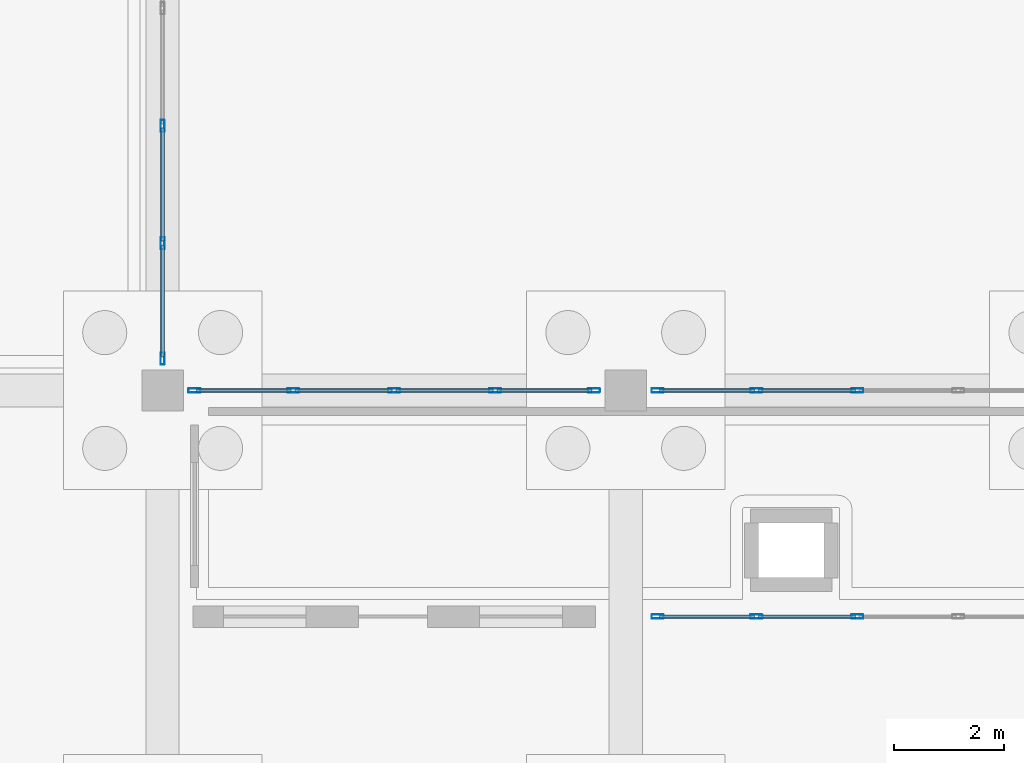
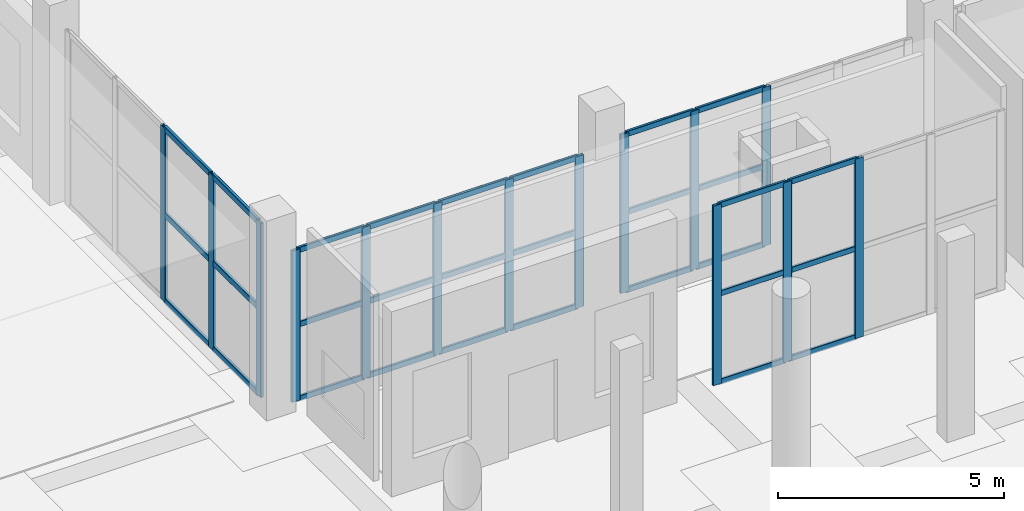
# One storey, part 15 of 65: 44 members, 4 elements without a shape of their own.
"""IFC4 building model written with IfcOpenShell, lengths in metres."""

from ifc_helpers import new_model, si_unit, direction, frame, origin, origin_2d, place, context, subcontext, project, spatial, hollow_rectangle, extrude, material, layer, layer_set, material_profile, profile_set, type_object, element, aggregate, save


model = new_model("IFC4")

# Units and contexts
model_context = context("Model", 3, precision=1e-05, world=origin(), true_north=direction((0.0, 1.0)))
body_context = subcontext(model_context, "Body", "Model", "MODEL_VIEW")
ifc_project = project(units=[si_unit("LENGTHUNIT", "METRE"), si_unit("AREAUNIT", "SQUARE_METRE"), si_unit("VOLUMEUNIT", "CUBIC_METRE"), si_unit("PLANEANGLEUNIT", "RADIAN"), si_unit("MASSUNIT", "GRAM", prefix="KILO")], contexts=[model_context])

# Site, building, storey
site_placement = place(None, origin())
site = spatial("IfcSite", under=ifc_project, at=site_placement, CompositionType="ELEMENT")
building_placement = place(site_placement, origin())
building = spatial("IfcBuilding", under=site, at=building_placement, Name="Zulmaris Art Gallery", CompositionType="ELEMENT")
storey_placement = place(building_placement, origin())
storey = spatial("IfcBuildingStorey", under=building, at=storey_placement, Name="L00", CompositionType="ELEMENT", Elevation=0.0)

# Curtain wall, members
ifc_material_1 = material(Name="Cloister & Court Glazed Curtain Wall", Category="aluminium")
ifc_layer = layer(ifc_material_1, 0.179931640625)
ifc_layer_set = layer_set([ifc_layer], Name="Cloister & Court Glazed Curtain Wall")
curtain_wall_type = type_object("IfcCurtainWallType", Name="CW-CW03", PredefinedType="NOTDEFINED", material=ifc_layer_set)
curtain_wall_1_placement = place(storey_placement, origin())
curtain_wall_1 = element("IfcCurtainWall", 1, at=curtain_wall_1_placement, inside=storey, type_object=curtain_wall_type, Name="L00 curtain wall 55", PredefinedType="NOTDEFINED")
ifc_material_2 = material(Name="Anodised Bronze Aluminium", Category="aluminium")
ifc_material_profile_1 = material_profile(ifc_material_2, hollow_rectangle(XDim=0.074951171875, YDim=0.219970703125, WallThickness=0.0048828125, InnerFilletRadius=0.007568359375, OuterFilletRadius=0.012451171875, at=origin_2d()), Name="ALU 75x220x5")
ifc_profile_set_1 = profile_set([ifc_material_profile_1], Name="Anodised Bronze Aluminium")
member_type_1 = type_object("IfcMemberType", Name="CWMUL-02", PredefinedType="MULLION", material=ifc_profile_set_1)
member_1_placement = place(storey_placement, frame((100.177490234375, 17.5, 0.0), z_axis=(0.0, 0.0, 1.0), x_axis=(0.0, 1.0, 0.0)))
member_1 = element("IfcMember", 2, at=member_1_placement, type_object=member_type_1, Name="CW03 mullion 1", PredefinedType="MULLION", context=body_context, shape_type="SweptSolid", body=[
    extrude(hollow_rectangle(XDim=0.074951171875, YDim=0.219970703125, WallThickness=0.0048828125, InnerFilletRadius=0.007568359375, OuterFilletRadius=0.012451171875, at=origin_2d()), origin(), (0.0, 0.0, 1.0), 4.85009765625),
])
member_2_placement = place(storey_placement, frame((101.969970703125, 17.5, 0.0), z_axis=(0.0, 0.0, 1.0), x_axis=(0.0, 1.0, 0.0)))
member_2 = element("IfcMember", 3, at=member_2_placement, type_object=member_type_1, Name="CW03 mullion 2", PredefinedType="MULLION", context=body_context, shape_type="SweptSolid", body=[
    extrude(hollow_rectangle(XDim=0.074951171875, YDim=0.219970703125, WallThickness=0.0048828125, InnerFilletRadius=0.007568359375, OuterFilletRadius=0.012451171875, at=origin_2d()), origin(), (0.0, 0.0, 1.0), 4.85009765625),
])
member_3_placement = place(storey_placement, frame((103.800048828125, 17.5, 0.0), z_axis=(0.0, 0.0, 1.0), x_axis=(0.0, 1.0, 0.0)))
member_3 = element("IfcMember", 4, at=member_3_placement, type_object=member_type_1, Name="CW03 mullion 3", PredefinedType="MULLION", context=body_context, shape_type="SweptSolid", body=[
    extrude(hollow_rectangle(XDim=0.074951171875, YDim=0.219970703125, WallThickness=0.0048828125, InnerFilletRadius=0.007568359375, OuterFilletRadius=0.012451171875, at=origin_2d()), origin(), (0.0, 0.0, 1.0), 4.85009765625),
])

curtain_wall_2_placement = place(storey_placement, origin())
curtain_wall_2 = element("IfcCurtainWall", 5, at=curtain_wall_2_placement, inside=storey, type_object=curtain_wall_type, Name="L00 curtain wall 66", PredefinedType="NOTDEFINED")
member_4_placement = place(storey_placement, frame((91.199951171875, 26.39990234375, 0.0), z_axis=(0.0, 0.0, 1.0), x_axis=(1.0, 0.0, 0.0)))
member_4 = element("IfcMember", 6, at=member_4_placement, type_object=member_type_1, Name="CW03 mullion 3", PredefinedType="MULLION", context=body_context, shape_type="SweptSolid", body=[
    extrude(hollow_rectangle(XDim=0.074951171875, YDim=0.219970703125, WallThickness=0.0048828125, InnerFilletRadius=0.007568359375, OuterFilletRadius=0.012451171875, at=origin_2d()), origin(), (0.0, 0.0, 1.0), 4.7099609375),
])
member_5_placement = place(storey_placement, frame((91.199951171875, 24.27001953125, 0.0), z_axis=(0.0, 0.0, 1.0), x_axis=(1.0, 0.0, 0.0)))
member_5 = element("IfcMember", 7, at=member_5_placement, type_object=member_type_1, Name="CW03 mullion 4", PredefinedType="MULLION", context=body_context, shape_type="SweptSolid", body=[
    extrude(hollow_rectangle(XDim=0.074951171875, YDim=0.219970703125, WallThickness=0.0048828125, InnerFilletRadius=0.007568359375, OuterFilletRadius=0.012451171875, at=origin_2d()), origin(), (0.0, 0.0, 1.0), 4.7099609375),
])
member_6_placement = place(storey_placement, frame((91.199951171875, 22.177490234375, 0.0), z_axis=(0.0, 0.0, 1.0), x_axis=(1.0, 0.0, 0.0)))
member_6 = element("IfcMember", 8, at=member_6_placement, type_object=member_type_1, Name="CW03 mullion 5", PredefinedType="MULLION", context=body_context, shape_type="SweptSolid", body=[
    extrude(hollow_rectangle(XDim=0.074951171875, YDim=0.219970703125, WallThickness=0.0048828125, InnerFilletRadius=0.007568359375, OuterFilletRadius=0.012451171875, at=origin_2d()), origin(), (0.0, 0.0, 1.0), 4.7099609375),
])

curtain_wall_3_placement = place(storey_placement, origin())
curtain_wall_3 = element("IfcCurtainWall", 9, at=curtain_wall_3_placement, inside=storey, type_object=curtain_wall_type, Name="L00 curtain wall 185", PredefinedType="NOTDEFINED")
member_7_placement = place(storey_placement, frame((91.777587890625, 21.60009765625, 0.0), z_axis=(0.0, 0.0, 1.0), x_axis=(0.0, 1.0, 0.0)))
member_7 = element("IfcMember", 10, at=member_7_placement, type_object=member_type_1, Name="CW03 mullion 1", PredefinedType="MULLION", context=body_context, shape_type="SweptSolid", body=[
    extrude(hollow_rectangle(XDim=0.074951171875, YDim=0.219970703125, WallThickness=0.0048828125, InnerFilletRadius=0.007568359375, OuterFilletRadius=0.012451171875, at=origin_2d()), origin(), (0.0, 0.0, 1.0), 4.090087890625),
])
member_8_placement = place(storey_placement, frame((93.570068359375, 21.60009765625, 0.0), z_axis=(0.0, 0.0, 1.0), x_axis=(0.0, 1.0, 0.0)))
member_8 = element("IfcMember", 11, at=member_8_placement, type_object=member_type_1, Name="CW03 mullion 2", PredefinedType="MULLION", context=body_context, shape_type="SweptSolid", body=[
    extrude(hollow_rectangle(XDim=0.074951171875, YDim=0.219970703125, WallThickness=0.0048828125, InnerFilletRadius=0.007568359375, OuterFilletRadius=0.012451171875, at=origin_2d()), origin(), (0.0, 0.0, 1.0), 4.090087890625),
])
member_9_placement = place(storey_placement, frame((95.39990234375, 21.60009765625, 0.0), z_axis=(0.0, 0.0, 1.0), x_axis=(0.0, 1.0, 0.0)))
member_9 = element("IfcMember", 12, at=member_9_placement, type_object=member_type_1, Name="CW03 mullion 3", PredefinedType="MULLION", context=body_context, shape_type="SweptSolid", body=[
    extrude(hollow_rectangle(XDim=0.074951171875, YDim=0.219970703125, WallThickness=0.0048828125, InnerFilletRadius=0.007568359375, OuterFilletRadius=0.012451171875, at=origin_2d()), origin(), (0.0, 0.0, 1.0), 4.090087890625),
])
member_10_placement = place(storey_placement, frame((97.22998046875, 21.60009765625, 0.0), z_axis=(0.0, 0.0, 1.0), x_axis=(0.0, 1.0, 0.0)))
member_10 = element("IfcMember", 13, at=member_10_placement, type_object=member_type_1, Name="CW03 mullion 4", PredefinedType="MULLION", context=body_context, shape_type="SweptSolid", body=[
    extrude(hollow_rectangle(XDim=0.074951171875, YDim=0.219970703125, WallThickness=0.0048828125, InnerFilletRadius=0.007568359375, OuterFilletRadius=0.012451171875, at=origin_2d()), origin(), (0.0, 0.0, 1.0), 4.090087890625),
])
member_11_placement = place(storey_placement, frame((99.0224609375, 21.60009765625, 0.0), z_axis=(0.0, 0.0, 1.0), x_axis=(0.0, 1.0, 0.0)))
member_11 = element("IfcMember", 14, at=member_11_placement, type_object=member_type_1, Name="CW03 mullion 5", PredefinedType="MULLION", context=body_context, shape_type="SweptSolid", body=[
    extrude(hollow_rectangle(XDim=0.074951171875, YDim=0.219970703125, WallThickness=0.0048828125, InnerFilletRadius=0.007568359375, OuterFilletRadius=0.012451171875, at=origin_2d()), origin(), (0.0, 0.0, 1.0), 4.090087890625),
])

curtain_wall_4_placement = place(storey_placement, origin())
curtain_wall_4 = element("IfcCurtainWall", 15, at=curtain_wall_4_placement, inside=storey, type_object=curtain_wall_type, Name="L00 curtain wall 186", PredefinedType="NOTDEFINED")
member_12_placement = place(storey_placement, frame((100.177490234375, 21.60009765625, 0.0), z_axis=(0.0, 0.0, 1.0), x_axis=(0.0, 1.0, 0.0)))
member_12 = element("IfcMember", 16, at=member_12_placement, type_object=member_type_1, Name="CW03 mullion 1", PredefinedType="MULLION", context=body_context, shape_type="SweptSolid", body=[
    extrude(hollow_rectangle(XDim=0.074951171875, YDim=0.219970703125, WallThickness=0.0048828125, InnerFilletRadius=0.007568359375, OuterFilletRadius=0.012451171875, at=origin_2d()), origin(), (0.0, 0.0, 1.0), 4.2900390625),
])
member_13_placement = place(storey_placement, frame((101.969970703125, 21.60009765625, 0.0), z_axis=(0.0, 0.0, 1.0), x_axis=(0.0, 1.0, 0.0)))
member_13 = element("IfcMember", 17, at=member_13_placement, type_object=member_type_1, Name="CW03 mullion 2", PredefinedType="MULLION", context=body_context, shape_type="SweptSolid", body=[
    extrude(hollow_rectangle(XDim=0.074951171875, YDim=0.219970703125, WallThickness=0.0048828125, InnerFilletRadius=0.007568359375, OuterFilletRadius=0.012451171875, at=origin_2d()), origin(), (0.0, 0.0, 1.0), 4.2900390625),
])
member_14_placement = place(storey_placement, frame((103.800048828125, 21.60009765625, 0.0), z_axis=(0.0, 0.0, 1.0), x_axis=(0.0, 1.0, 0.0)))
member_14 = element("IfcMember", 18, at=member_14_placement, type_object=member_type_1, Name="CW03 mullion 3", PredefinedType="MULLION", context=body_context, shape_type="SweptSolid", body=[
    extrude(hollow_rectangle(XDim=0.074951171875, YDim=0.219970703125, WallThickness=0.0048828125, InnerFilletRadius=0.007568359375, OuterFilletRadius=0.012451171875, at=origin_2d()), origin(), (0.0, 0.0, 1.0), 4.2900390625),
])

# Member
ifc_material_profile_2 = material_profile(ifc_material_2, hollow_rectangle(XDim=0.06494140625, YDim=0.14990234375, WallThickness=0.00390625, InnerFilletRadius=0.006103515625, OuterFilletRadius=0.010009765625, at=origin_2d()), Name="ALU 65x150x4")
ifc_profile_set_2 = profile_set([ifc_material_profile_2], Name="Anodised Bronze Aluminium")
member_type_2 = type_object("IfcMemberType", Name="CWTRN-01", PredefinedType="USERDEFINED", material=ifc_profile_set_2)
member_15_placement = place(storey_placement, frame((100.215087890625, 17.5, 0.03759765625), z_axis=(1.0, 0.0, 0.0), x_axis=(0.0, 1.0, 0.0)))
member_15 = element("IfcMember", 19, at=member_15_placement, type_object=member_type_2, Name="CW03 transom 1.1", ObjectType="TRANSOM", PredefinedType="USERDEFINED", context=body_context, shape_type="SweptSolid", body=[
    extrude(hollow_rectangle(XDim=0.06494140625, YDim=0.14990234375, WallThickness=0.00390625, InnerFilletRadius=0.006103515625, OuterFilletRadius=0.010009765625, at=origin_2d()), origin(), (0.0, 0.0, 1.0), 1.717529296875),
])

member_16_placement = place(storey_placement, frame((100.215087890625, 17.5, 2.425048828125), z_axis=(1.0, 0.0, 0.0), x_axis=(0.0, 1.0, 0.0)))
member_16 = element("IfcMember", 20, at=member_16_placement, type_object=member_type_2, Name="CW03 transom 1.2", ObjectType="TRANSOM", PredefinedType="USERDEFINED", context=body_context, shape_type="SweptSolid", body=[
    extrude(hollow_rectangle(XDim=0.06494140625, YDim=0.14990234375, WallThickness=0.00390625, InnerFilletRadius=0.006103515625, OuterFilletRadius=0.010009765625, at=origin_2d()), origin(), (0.0, 0.0, 1.0), 1.717529296875),
])

member_17_placement = place(storey_placement, frame((100.215087890625, 17.5, 4.8125), z_axis=(1.0, 0.0, 0.0), x_axis=(0.0, 1.0, 0.0)))
member_17 = element("IfcMember", 21, at=member_17_placement, type_object=member_type_2, Name="CW03 transom 1.3", ObjectType="TRANSOM", PredefinedType="USERDEFINED", context=body_context, shape_type="SweptSolid", body=[
    extrude(hollow_rectangle(XDim=0.06494140625, YDim=0.14990234375, WallThickness=0.00390625, InnerFilletRadius=0.006103515625, OuterFilletRadius=0.010009765625, at=origin_2d()), origin(), (0.0, 0.0, 1.0), 1.717529296875),
])

member_18_placement = place(storey_placement, frame((102.007568359375, 17.5, 0.03759765625), z_axis=(1.0, 0.0, 0.0), x_axis=(0.0, 1.0, 0.0)))
member_18 = element("IfcMember", 22, at=member_18_placement, type_object=member_type_2, Name="CW03 transom 2.1", ObjectType="TRANSOM", PredefinedType="USERDEFINED", context=body_context, shape_type="SweptSolid", body=[
    extrude(hollow_rectangle(XDim=0.06494140625, YDim=0.14990234375, WallThickness=0.00390625, InnerFilletRadius=0.006103515625, OuterFilletRadius=0.010009765625, at=origin_2d()), origin(), (0.0, 0.0, 1.0), 1.7548828125),
])

member_19_placement = place(storey_placement, frame((102.007568359375, 17.5, 2.425048828125), z_axis=(1.0, 0.0, 0.0), x_axis=(0.0, 1.0, 0.0)))
member_19 = element("IfcMember", 23, at=member_19_placement, type_object=member_type_2, Name="CW03 transom 2.2", ObjectType="TRANSOM", PredefinedType="USERDEFINED", context=body_context, shape_type="SweptSolid", body=[
    extrude(hollow_rectangle(XDim=0.06494140625, YDim=0.14990234375, WallThickness=0.00390625, InnerFilletRadius=0.006103515625, OuterFilletRadius=0.010009765625, at=origin_2d()), origin(), (0.0, 0.0, 1.0), 1.7548828125),
])

member_20_placement = place(storey_placement, frame((102.007568359375, 17.5, 4.8125), z_axis=(1.0, 0.0, 0.0), x_axis=(0.0, 1.0, 0.0)))
member_20 = element("IfcMember", 24, at=member_20_placement, type_object=member_type_2, Name="CW03 transom 2.3", ObjectType="TRANSOM", PredefinedType="USERDEFINED", context=body_context, shape_type="SweptSolid", body=[
    extrude(hollow_rectangle(XDim=0.06494140625, YDim=0.14990234375, WallThickness=0.00390625, InnerFilletRadius=0.006103515625, OuterFilletRadius=0.010009765625, at=origin_2d()), origin(), (0.0, 0.0, 1.0), 1.7548828125),
])

aggregate(curtain_wall_1, [member_1, member_2, member_3, member_15, member_16, member_17, member_18, member_19, member_20])

member_21_placement = place(storey_placement, frame((91.81494140625, 21.60009765625, 0.03759765625), z_axis=(1.0, 0.0, 0.0), x_axis=(0.0, 1.0, 0.0)))
member_21 = element("IfcMember", 25, at=member_21_placement, type_object=member_type_2, Name="CW03 transom 1.1", ObjectType="TRANSOM", PredefinedType="USERDEFINED", context=body_context, shape_type="SweptSolid", body=[
    extrude(hollow_rectangle(XDim=0.06494140625, YDim=0.14990234375, WallThickness=0.00390625, InnerFilletRadius=0.006103515625, OuterFilletRadius=0.010009765625, at=origin_2d()), origin(), (0.0, 0.0, 1.0), 1.717529296875),
])

member_22_placement = place(storey_placement, frame((91.81494140625, 21.60009765625, 2.044921875), z_axis=(1.0, 0.0, 0.0), x_axis=(0.0, 1.0, 0.0)))
member_22 = element("IfcMember", 26, at=member_22_placement, type_object=member_type_2, Name="CW03 transom 1.2", ObjectType="TRANSOM", PredefinedType="USERDEFINED", context=body_context, shape_type="SweptSolid", body=[
    extrude(hollow_rectangle(XDim=0.06494140625, YDim=0.14990234375, WallThickness=0.00390625, InnerFilletRadius=0.006103515625, OuterFilletRadius=0.010009765625, at=origin_2d()), origin(), (0.0, 0.0, 1.0), 1.717529296875),
])

member_23_placement = place(storey_placement, frame((91.81494140625, 21.60009765625, 4.052490234375), z_axis=(1.0, 0.0, 0.0), x_axis=(0.0, 1.0, 0.0)))
member_23 = element("IfcMember", 27, at=member_23_placement, type_object=member_type_2, Name="CW03 transom 1.3", ObjectType="TRANSOM", PredefinedType="USERDEFINED", context=body_context, shape_type="SweptSolid", body=[
    extrude(hollow_rectangle(XDim=0.06494140625, YDim=0.14990234375, WallThickness=0.00390625, InnerFilletRadius=0.006103515625, OuterFilletRadius=0.010009765625, at=origin_2d()), origin(), (0.0, 0.0, 1.0), 1.717529296875),
])

member_24_placement = place(storey_placement, frame((93.607421875, 21.60009765625, 0.03759765625), z_axis=(1.0, 0.0, 0.0), x_axis=(0.0, 1.0, 0.0)))
member_24 = element("IfcMember", 28, at=member_24_placement, type_object=member_type_2, Name="CW03 transom 2.1", ObjectType="TRANSOM", PredefinedType="USERDEFINED", context=body_context, shape_type="SweptSolid", body=[
    extrude(hollow_rectangle(XDim=0.06494140625, YDim=0.14990234375, WallThickness=0.00390625, InnerFilletRadius=0.006103515625, OuterFilletRadius=0.010009765625, at=origin_2d()), origin(), (0.0, 0.0, 1.0), 1.755126953125),
])

member_25_placement = place(storey_placement, frame((93.607421875, 21.60009765625, 2.044921875), z_axis=(1.0, 0.0, 0.0), x_axis=(0.0, 1.0, 0.0)))
member_25 = element("IfcMember", 29, at=member_25_placement, type_object=member_type_2, Name="CW03 transom 2.2", ObjectType="TRANSOM", PredefinedType="USERDEFINED", context=body_context, shape_type="SweptSolid", body=[
    extrude(hollow_rectangle(XDim=0.06494140625, YDim=0.14990234375, WallThickness=0.00390625, InnerFilletRadius=0.006103515625, OuterFilletRadius=0.010009765625, at=origin_2d()), origin(), (0.0, 0.0, 1.0), 1.755126953125),
])

member_26_placement = place(storey_placement, frame((93.607421875, 21.60009765625, 4.052490234375), z_axis=(1.0, 0.0, 0.0), x_axis=(0.0, 1.0, 0.0)))
member_26 = element("IfcMember", 30, at=member_26_placement, type_object=member_type_2, Name="CW03 transom 2.3", ObjectType="TRANSOM", PredefinedType="USERDEFINED", context=body_context, shape_type="SweptSolid", body=[
    extrude(hollow_rectangle(XDim=0.06494140625, YDim=0.14990234375, WallThickness=0.00390625, InnerFilletRadius=0.006103515625, OuterFilletRadius=0.010009765625, at=origin_2d()), origin(), (0.0, 0.0, 1.0), 1.755126953125),
])

member_27_placement = place(storey_placement, frame((95.4375, 21.60009765625, 0.03759765625), z_axis=(1.0, 0.0, 0.0), x_axis=(0.0, 1.0, 0.0)))
member_27 = element("IfcMember", 31, at=member_27_placement, type_object=member_type_2, Name="CW03 transom 3.1", ObjectType="TRANSOM", PredefinedType="USERDEFINED", context=body_context, shape_type="SweptSolid", body=[
    extrude(hollow_rectangle(XDim=0.06494140625, YDim=0.14990234375, WallThickness=0.00390625, InnerFilletRadius=0.006103515625, OuterFilletRadius=0.010009765625, at=origin_2d()), origin(), (0.0, 0.0, 1.0), 1.7548828125),
])

member_28_placement = place(storey_placement, frame((95.4375, 21.60009765625, 2.044921875), z_axis=(1.0, 0.0, 0.0), x_axis=(0.0, 1.0, 0.0)))
member_28 = element("IfcMember", 32, at=member_28_placement, type_object=member_type_2, Name="CW03 transom 3.2", ObjectType="TRANSOM", PredefinedType="USERDEFINED", context=body_context, shape_type="SweptSolid", body=[
    extrude(hollow_rectangle(XDim=0.06494140625, YDim=0.14990234375, WallThickness=0.00390625, InnerFilletRadius=0.006103515625, OuterFilletRadius=0.010009765625, at=origin_2d()), origin(), (0.0, 0.0, 1.0), 1.7548828125),
])

member_29_placement = place(storey_placement, frame((95.4375, 21.60009765625, 4.052490234375), z_axis=(1.0, 0.0, 0.0), x_axis=(0.0, 1.0, 0.0)))
member_29 = element("IfcMember", 33, at=member_29_placement, type_object=member_type_2, Name="CW03 transom 3.3", ObjectType="TRANSOM", PredefinedType="USERDEFINED", context=body_context, shape_type="SweptSolid", body=[
    extrude(hollow_rectangle(XDim=0.06494140625, YDim=0.14990234375, WallThickness=0.00390625, InnerFilletRadius=0.006103515625, OuterFilletRadius=0.010009765625, at=origin_2d()), origin(), (0.0, 0.0, 1.0), 1.7548828125),
])

member_30_placement = place(storey_placement, frame((97.267578125, 21.60009765625, 0.03759765625), z_axis=(1.0, 0.0, 0.0), x_axis=(0.0, 1.0, 0.0)))
member_30 = element("IfcMember", 34, at=member_30_placement, type_object=member_type_2, Name="CW03 transom 4.1", ObjectType="TRANSOM", PredefinedType="USERDEFINED", context=body_context, shape_type="SweptSolid", body=[
    extrude(hollow_rectangle(XDim=0.06494140625, YDim=0.14990234375, WallThickness=0.00390625, InnerFilletRadius=0.006103515625, OuterFilletRadius=0.010009765625, at=origin_2d()), origin(), (0.0, 0.0, 1.0), 1.717529296875),
])

member_31_placement = place(storey_placement, frame((97.267578125, 21.60009765625, 2.044921875), z_axis=(1.0, 0.0, 0.0), x_axis=(0.0, 1.0, 0.0)))
member_31 = element("IfcMember", 35, at=member_31_placement, type_object=member_type_2, Name="CW03 transom 4.2", ObjectType="TRANSOM", PredefinedType="USERDEFINED", context=body_context, shape_type="SweptSolid", body=[
    extrude(hollow_rectangle(XDim=0.06494140625, YDim=0.14990234375, WallThickness=0.00390625, InnerFilletRadius=0.006103515625, OuterFilletRadius=0.010009765625, at=origin_2d()), origin(), (0.0, 0.0, 1.0), 1.717529296875),
])

member_32_placement = place(storey_placement, frame((97.267578125, 21.60009765625, 4.052490234375), z_axis=(1.0, 0.0, 0.0), x_axis=(0.0, 1.0, 0.0)))
member_32 = element("IfcMember", 36, at=member_32_placement, type_object=member_type_2, Name="CW03 transom 4.3", ObjectType="TRANSOM", PredefinedType="USERDEFINED", context=body_context, shape_type="SweptSolid", body=[
    extrude(hollow_rectangle(XDim=0.06494140625, YDim=0.14990234375, WallThickness=0.00390625, InnerFilletRadius=0.006103515625, OuterFilletRadius=0.010009765625, at=origin_2d()), origin(), (0.0, 0.0, 1.0), 1.717529296875),
])

aggregate(curtain_wall_3, [member_7, member_8, member_9, member_10, member_11, member_21, member_22, member_23, member_24, member_25, member_26, member_27, member_28, member_29, member_30, member_31, member_32])

member_33_placement = place(storey_placement, frame((100.215087890625, 21.60009765625, 0.03759765625), z_axis=(1.0, 0.0, 0.0), x_axis=(0.0, 1.0, 0.0)))
member_33 = element("IfcMember", 37, at=member_33_placement, type_object=member_type_2, Name="CW03 transom 1.1", ObjectType="TRANSOM", PredefinedType="USERDEFINED", context=body_context, shape_type="SweptSolid", body=[
    extrude(hollow_rectangle(XDim=0.06494140625, YDim=0.14990234375, WallThickness=0.00390625, InnerFilletRadius=0.006103515625, OuterFilletRadius=0.010009765625, at=origin_2d()), origin(), (0.0, 0.0, 1.0), 1.717529296875),
])

member_34_placement = place(storey_placement, frame((100.215087890625, 21.60009765625, 2.14501953125), z_axis=(1.0, 0.0, 0.0), x_axis=(0.0, 1.0, 0.0)))
member_34 = element("IfcMember", 38, at=member_34_placement, type_object=member_type_2, Name="CW03 transom 1.2", ObjectType="TRANSOM", PredefinedType="USERDEFINED", context=body_context, shape_type="SweptSolid", body=[
    extrude(hollow_rectangle(XDim=0.06494140625, YDim=0.14990234375, WallThickness=0.00390625, InnerFilletRadius=0.006103515625, OuterFilletRadius=0.010009765625, at=origin_2d()), origin(), (0.0, 0.0, 1.0), 1.717529296875),
])

member_35_placement = place(storey_placement, frame((100.215087890625, 21.60009765625, 4.25244140625), z_axis=(1.0, 0.0, 0.0), x_axis=(0.0, 1.0, 0.0)))
member_35 = element("IfcMember", 39, at=member_35_placement, type_object=member_type_2, Name="CW03 transom 1.3", ObjectType="TRANSOM", PredefinedType="USERDEFINED", context=body_context, shape_type="SweptSolid", body=[
    extrude(hollow_rectangle(XDim=0.06494140625, YDim=0.14990234375, WallThickness=0.00390625, InnerFilletRadius=0.006103515625, OuterFilletRadius=0.010009765625, at=origin_2d()), origin(), (0.0, 0.0, 1.0), 1.717529296875),
])

member_36_placement = place(storey_placement, frame((102.007568359375, 21.60009765625, 0.03759765625), z_axis=(1.0, 0.0, 0.0), x_axis=(0.0, 1.0, 0.0)))
member_36 = element("IfcMember", 40, at=member_36_placement, type_object=member_type_2, Name="CW03 transom 2.1", ObjectType="TRANSOM", PredefinedType="USERDEFINED", context=body_context, shape_type="SweptSolid", body=[
    extrude(hollow_rectangle(XDim=0.06494140625, YDim=0.14990234375, WallThickness=0.00390625, InnerFilletRadius=0.006103515625, OuterFilletRadius=0.010009765625, at=origin_2d()), origin(), (0.0, 0.0, 1.0), 1.7548828125),
])

member_37_placement = place(storey_placement, frame((102.007568359375, 21.60009765625, 2.14501953125), z_axis=(1.0, 0.0, 0.0), x_axis=(0.0, 1.0, 0.0)))
member_37 = element("IfcMember", 41, at=member_37_placement, type_object=member_type_2, Name="CW03 transom 2.2", ObjectType="TRANSOM", PredefinedType="USERDEFINED", context=body_context, shape_type="SweptSolid", body=[
    extrude(hollow_rectangle(XDim=0.06494140625, YDim=0.14990234375, WallThickness=0.00390625, InnerFilletRadius=0.006103515625, OuterFilletRadius=0.010009765625, at=origin_2d()), origin(), (0.0, 0.0, 1.0), 1.7548828125),
])

member_38_placement = place(storey_placement, frame((102.007568359375, 21.60009765625, 4.25244140625), z_axis=(1.0, 0.0, 0.0), x_axis=(0.0, 1.0, 0.0)))
member_38 = element("IfcMember", 42, at=member_38_placement, type_object=member_type_2, Name="CW03 transom 2.3", ObjectType="TRANSOM", PredefinedType="USERDEFINED", context=body_context, shape_type="SweptSolid", body=[
    extrude(hollow_rectangle(XDim=0.06494140625, YDim=0.14990234375, WallThickness=0.00390625, InnerFilletRadius=0.006103515625, OuterFilletRadius=0.010009765625, at=origin_2d()), origin(), (0.0, 0.0, 1.0), 1.7548828125),
])

aggregate(curtain_wall_4, [member_12, member_13, member_14, member_33, member_34, member_35, member_36, member_37, member_38])

ifc_material_profile_3 = material_profile(ifc_material_2, hollow_rectangle(XDim=0.074951171875, YDim=0.159912109375, WallThickness=0.00390625, InnerFilletRadius=0.006103515625, OuterFilletRadius=0.010009765625, at=origin_2d()), Name="ALU 75x160x4")
ifc_profile_set_3 = profile_set([ifc_material_profile_3], Name="Anodised Bronze Aluminium")
member_type_3 = type_object("IfcMemberType", Name="CWTRN-02", PredefinedType="USERDEFINED", material=ifc_profile_set_3)
member_39_placement = place(storey_placement, frame((91.199951171875, 26.362548828125, 0.03759765625), z_axis=(0.0, -1.0, 0.0), x_axis=(1.0, 0.0, 0.0)))
member_39 = element("IfcMember", 43, at=member_39_placement, type_object=member_type_3, Name="CW03 transom 3.1", ObjectType="TRANSOM", PredefinedType="USERDEFINED", context=body_context, shape_type="SweptSolid", body=[
    extrude(hollow_rectangle(XDim=0.074951171875, YDim=0.159912109375, WallThickness=0.00390625, InnerFilletRadius=0.006103515625, OuterFilletRadius=0.010009765625, at=origin_2d()), origin(), (0.0, 0.0, 1.0), 2.054931640625),
])

member_40_placement = place(storey_placement, frame((91.199951171875, 26.362548828125, 2.35498046875), z_axis=(0.0, -1.0, 0.0), x_axis=(1.0, 0.0, 0.0)))
member_40 = element("IfcMember", 44, at=member_40_placement, type_object=member_type_3, Name="CW03 transom 3.2", ObjectType="TRANSOM", PredefinedType="USERDEFINED", context=body_context, shape_type="SweptSolid", body=[
    extrude(hollow_rectangle(XDim=0.074951171875, YDim=0.159912109375, WallThickness=0.00390625, InnerFilletRadius=0.006103515625, OuterFilletRadius=0.010009765625, at=origin_2d()), origin(), (0.0, 0.0, 1.0), 2.054931640625),
])

member_41_placement = place(storey_placement, frame((91.199951171875, 26.362548828125, 4.672607421875), z_axis=(0.0, -1.0, 0.0), x_axis=(1.0, 0.0, 0.0)))
member_41 = element("IfcMember", 45, at=member_41_placement, type_object=member_type_3, Name="CW03 transom 3.3", ObjectType="TRANSOM", PredefinedType="USERDEFINED", context=body_context, shape_type="SweptSolid", body=[
    extrude(hollow_rectangle(XDim=0.074951171875, YDim=0.159912109375, WallThickness=0.00390625, InnerFilletRadius=0.006103515625, OuterFilletRadius=0.010009765625, at=origin_2d()), origin(), (0.0, 0.0, 1.0), 2.054931640625),
])

member_42_placement = place(storey_placement, frame((91.199951171875, 24.232421875, 0.03759765625), z_axis=(0.0, -1.0, 0.0), x_axis=(1.0, 0.0, 0.0)))
member_42 = element("IfcMember", 46, at=member_42_placement, type_object=member_type_3, Name="CW03 transom 4.1", ObjectType="TRANSOM", PredefinedType="USERDEFINED", context=body_context, shape_type="SweptSolid", body=[
    extrude(hollow_rectangle(XDim=0.074951171875, YDim=0.159912109375, WallThickness=0.00390625, InnerFilletRadius=0.006103515625, OuterFilletRadius=0.010009765625, at=origin_2d()), origin(), (0.0, 0.0, 1.0), 2.017333984375),
])

member_43_placement = place(storey_placement, frame((91.199951171875, 24.232421875, 2.35498046875), z_axis=(0.0, -1.0, 0.0), x_axis=(1.0, 0.0, 0.0)))
member_43 = element("IfcMember", 47, at=member_43_placement, type_object=member_type_3, Name="CW03 transom 4.2", ObjectType="TRANSOM", PredefinedType="USERDEFINED", context=body_context, shape_type="SweptSolid", body=[
    extrude(hollow_rectangle(XDim=0.074951171875, YDim=0.159912109375, WallThickness=0.00390625, InnerFilletRadius=0.006103515625, OuterFilletRadius=0.010009765625, at=origin_2d()), origin(), (0.0, 0.0, 1.0), 2.017333984375),
])

member_44_placement = place(storey_placement, frame((91.199951171875, 24.232421875, 4.672607421875), z_axis=(0.0, -1.0, 0.0), x_axis=(1.0, 0.0, 0.0)))
member_44 = element("IfcMember", 48, at=member_44_placement, type_object=member_type_3, Name="CW03 transom 4.3", ObjectType="TRANSOM", PredefinedType="USERDEFINED", context=body_context, shape_type="SweptSolid", body=[
    extrude(hollow_rectangle(XDim=0.074951171875, YDim=0.159912109375, WallThickness=0.00390625, InnerFilletRadius=0.006103515625, OuterFilletRadius=0.010009765625, at=origin_2d()), origin(), (0.0, 0.0, 1.0), 2.017333984375),
])

aggregate(curtain_wall_2, [member_4, member_5, member_6, member_39, member_40, member_41, member_42, member_43, member_44])

save(model, "model.ifc")
